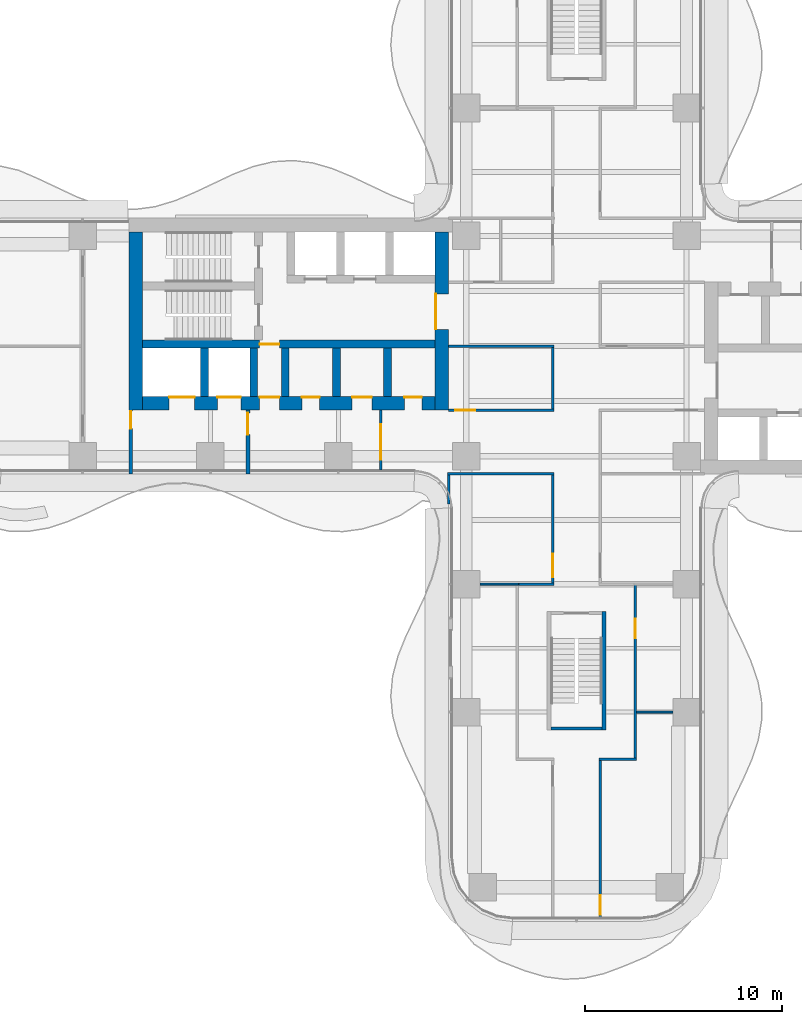
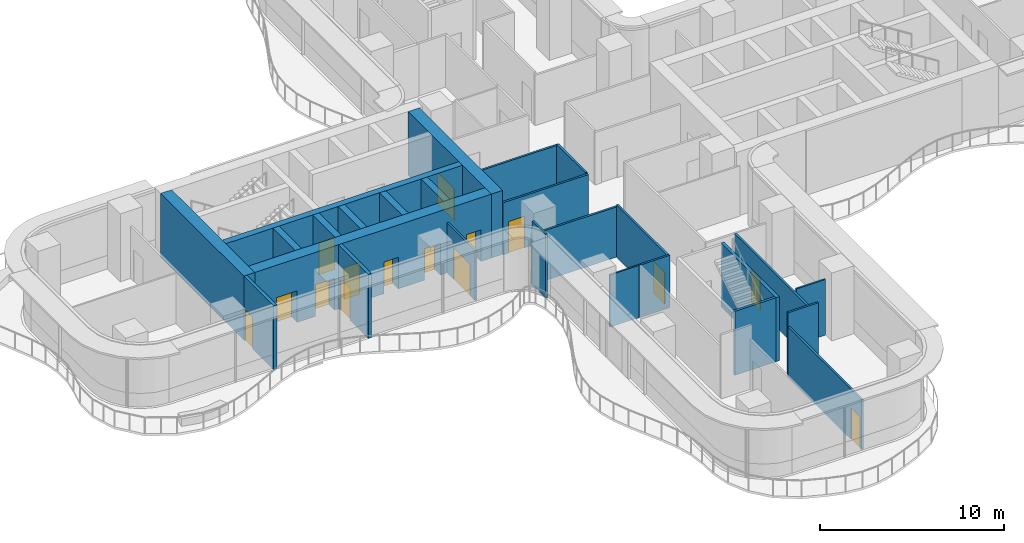
# One storey, part 17 of 22: 26 walls, 15 doors, 15 openings.
"""IFC4 building model written with IfcOpenShell, lengths in metres."""

from ifc_helpers import new_model, si_unit, direction, frame, frame_2d, origin, place, context, subcontext, project, spatial, rectangle, extrude, source, transform, mapped, material, layer, layer_set, type_object, element, fill, save


model = new_model("IFC4")

# Units and contexts
model_context = context("Model", 3, precision=1e-05, world=origin(), true_north=direction((0.0, 1.0)))
body_context = subcontext(model_context, "Body", "Model", "MODEL_VIEW")
ifc_project = project(units=[si_unit("LENGTHUNIT", "METRE"), si_unit("AREAUNIT", "SQUARE_METRE"), si_unit("VOLUMEUNIT", "CUBIC_METRE"), si_unit("PLANEANGLEUNIT", "RADIAN"), si_unit("MASSUNIT", "GRAM", prefix="KILO")], contexts=[model_context])

# Site, building, storey
site_placement = place(None, origin())
site = spatial("IfcSite", under=ifc_project, at=site_placement, CompositionType="ELEMENT")
building_placement = place(site_placement, origin())
building = spatial("IfcBuilding", under=site, at=building_placement, Name="Trellis Farm Tower", CompositionType="ELEMENT")
storey_placement = place(building_placement, frame((0.0, 0.0, 65.5)))
storey = spatial("IfcBuildingStorey", under=building, at=storey_placement, Name="L13", CompositionType="ELEMENT", Elevation=65.5)

# Wall, opening, door
ifc_material_1 = material(Name="Concrete C80/95", Category="concrete")
ifc_layer_1 = layer(ifc_material_1, 0.699951171875)
ifc_layer_set_1 = layer_set([ifc_layer_1], Name="CORE OUTER WALL 700 CONCRETE C80/95")
wall_type_1 = type_object("IfcWallType", Name="CORE OUTER WALL 700 CONCRETE C80/95", PredefinedType="SHEAR", material=ifc_layer_set_1)
shared_shape_1 = source(origin(), body_context, "Body", "SweptSolid", [
    extrude(rectangle(XDim=9.050048828125, YDim=0.699951171875, at=frame_2d((4.52490234375, 0.0))), origin(), (0.0, 0.0, 1.0), 4.25),
])
wall_1_placement = place(storey_placement, frame((-6.85009765625, 5.800048828125, 0.0), z_axis=(0.0, 0.0, 1.0), x_axis=(0.0, -1.0, 0.0)))
wall_1 = element("IfcWall", 1, at=wall_1_placement, inside=storey, type_object=wall_type_1, Name="Core wall", PredefinedType="SHEAR", context=body_context, shape_type="MappedRepresentation", body=[
    mapped(shared_shape_1, transform((0.0, 0.0, 0.0))),
])
shared_shape_2 = source(origin(), body_context, "Body", "SweptSolid", [
    extrude(rectangle(XDim=1.800048828125, YDim=2.10009765625, at=frame_2d((0.89990234375, 1.050048828125))), frame((0.0, 0.360107421875, 0.0), z_axis=(0.0, -1.0, 0.0), x_axis=(1.0, 0.0, 0.0)), (0.0, 0.0, 1.0), 0.72021484375),
])
opening_1_placement = place(wall_1_placement, frame((3.14990234375, 0.0, 0.0)))
opening_1 = element("IfcOpeningElement", 2, at=opening_1_placement, cuts=wall_1, Name="Opening DC87", PredefinedType="OPENING", context=body_context, shape_type="MappedRepresentation", body=[
    mapped(shared_shape_2, transform((0.0, 0.0, 0.0))),
])
ifc_material_2 = material(Name="Steel", Category="steel")
door_type_1 = type_object("IfcDoorType", Name="CORE FIRE DOOR DOUBLE 1800 X 2100", OperationType="DOUBLE_DOOR_SINGLE_SWING", PredefinedType="DOOR", material=ifc_material_2)
shared_shape_3 = source(origin(), body_context, "Body", "SweptSolid", [
    extrude(rectangle(XDim=1.800048828125, YDim=2.10009765625, at=frame_2d((0.89990234375, 1.050048828125))), frame((0.0, -0.27490234375, 0.0), z_axis=(0.0, -1.0, 0.0), x_axis=(1.0, 0.0, 0.0)), (0.0, 0.0, 1.0), 0.050048828125),
])
door_1_placement = place(opening_1_placement, origin())
door_1 = element("IfcDoor", 3, at=door_1_placement, inside=storey, type_object=door_type_1, Name="Core door", OperationType="DOUBLE_DOOR_SINGLE_SWING", OverallHeight=2.10009765625, OverallWidth=1.800048828125, PredefinedType="DOOR", context=body_context, shape_type="MappedRepresentation", body=[
    mapped(shared_shape_3, transform((0.0, 0.0, 0.0))),
])
fill(opening_1, door_1)

# Walls
wall_2_placement = place(storey_placement, frame((-22.39990234375, 5.800048828125, 0.0), z_axis=(0.0, 0.0, 1.0), x_axis=(0.0, -1.0, 0.0)))
element("IfcWall", 4, at=wall_2_placement, inside=storey, type_object=wall_type_1, Name="Core wall", PredefinedType="SHEAR", context=body_context, shape_type="MappedRepresentation", body=[
    mapped(shared_shape_1, transform((0.0, 0.0, 0.0))),
])
ifc_layer_2 = layer(ifc_material_1, 0.39990234375)
ifc_layer_set_2 = layer_set([ifc_layer_2], Name="CORE INNER WALL 400 CONCRETE C80/95")
wall_type_2 = type_object("IfcWallType", Name="CORE INNER WALL 400 CONCRETE C80/95", PredefinedType="SHEAR", material=ifc_layer_set_2)
shared_shape_4 = source(origin(), body_context, "Body", "SweptSolid", [
    extrude(rectangle(XDim=2.449951171875, YDim=0.39990234375, at=frame_2d((1.22509765625, 0.0))), origin(), (0.0, 0.0, 1.0), 4.25),
])
for number, where, z_axis, x_axis, name in (
    (5, (-9.60009765625, -0.10009765625, 0.0), (0.0, 0.0, 1.0), (0.0, -1.0, 0.0), "Core wall"),
    (6, (-12.199951171875, -0.10009765625, 0.0), (0.0, 0.0, 1.0), (0.0, -1.0, 0.0), "Core wall"),
    (7, (-14.800048828125, -0.10009765625, 0.0), (0.0, 0.0, 1.0), (0.0, -1.0, 0.0), "Core wall"),
    (8, (-16.39990234375, -0.10009765625, 0.0), (0.0, 0.0, 1.0), (0.0, -1.0, 0.0), "Core wall"),
    (9, (-18.89990234375, -0.10009765625, 0.0), (0.0, 0.0, 1.0), (0.0, -1.0, 0.0), "Core wall"),
):
    element("IfcWall", number, at=place(storey_placement, frame(where, z_axis=z_axis, x_axis=x_axis)), inside=storey, type_object=wall_type_2, Name=name, PredefinedType="SHEAR", context=body_context, shape_type="MappedRepresentation", body=[
        mapped(shared_shape_4, transform((0.0, 0.0, 0.0))),
    ])

# Wall, opening, door
ifc_material_3 = material(Name="Masonry blockwork", Category="masonry")
ifc_layer_3 = layer(ifc_material_3, 0.199951171875)
ifc_layer_set_3 = layer_set([ifc_layer_3], Name="FIRE LOBBY PARTITION 200 BLOCKWORK")
wall_type_3 = type_object("IfcWallType", Name="FIRE LOBBY PARTITION 200 BLOCKWORK", PredefinedType="PARTITIONING", material=ifc_layer_set_3)
shared_shape_5 = source(origin(), body_context, "Body", "SweptSolid", [
    extrude(rectangle(XDim=3.25, YDim=0.199951171875, at=frame_2d((1.625, 0.0))), origin(), (0.0, 0.0, 1.0), 4.25),
])
wall_3_placement = place(storey_placement, frame((-16.699951171875, -3.25, 0.0), z_axis=(0.0, 0.0, 1.0), x_axis=(0.0, -1.0, 0.0)))
wall_3 = element("IfcWall", 10, at=wall_3_placement, inside=storey, type_object=wall_type_3, Name="Fire-fighting lobby partition", PredefinedType="PARTITIONING", context=body_context, shape_type="MappedRepresentation", body=[
    mapped(shared_shape_5, transform((0.0, 0.0, 0.0))),
])
shared_shape_6 = source(origin(), body_context, "Body", "SweptSolid", [
    extrude(rectangle(XDim=1.10009765625, YDim=2.10009765625, at=frame_2d((0.550048828125, 1.050048828125))), frame((0.0, 0.110107421875, 0.0), z_axis=(0.0, -1.0, 0.0), x_axis=(1.0, 0.0, 0.0)), (0.0, 0.0, 1.0), 0.22021484375),
])
opening_2_placement = place(wall_3_placement, frame((0.14990234375, 0.0, 0.0)))
opening_2 = element("IfcOpeningElement", 11, at=opening_2_placement, cuts=wall_3, Name="Opening DC93", PredefinedType="OPENING", context=body_context, shape_type="MappedRepresentation", body=[
    mapped(shared_shape_6, transform((0.0, 0.0, 0.0))),
])
door_type_2 = type_object("IfcDoorType", Name="CORE FIRE DOOR 1100 X 2100", OperationType="NOTDEFINED", PredefinedType="DOOR", material=ifc_material_2)
shared_shape_7 = source(origin(), body_context, "Body", "SweptSolid", [
    extrude(rectangle(XDim=1.10009765625, YDim=2.10009765625, at=frame_2d((0.550048828125, 1.050048828125))), frame((0.0, 0.02490234375, 0.0), z_axis=(0.0, -1.0, 0.0), x_axis=(1.0, 0.0, 0.0)), (0.0, 0.0, 1.0), 0.050048828125),
])
door_2_placement = place(opening_2_placement, origin())
door_2 = element("IfcDoor", 12, at=door_2_placement, inside=storey, type_object=door_type_2, Name="Core door", OperationType="SINGLE_SWING_RIGHT", OverallHeight=2.10009765625, OverallWidth=1.10009765625, PredefinedType="DOOR", context=body_context, shape_type="MappedRepresentation", body=[
    mapped(shared_shape_7, transform((0.0, 0.0, 0.0))),
])
fill(opening_2, door_2)

wall_4_placement = place(storey_placement, frame((-22.64990234375, -3.25, 0.0), z_axis=(0.0, 0.0, 1.0), x_axis=(0.0, -1.0, 0.0)))
wall_4 = element("IfcWall", 13, at=wall_4_placement, inside=storey, type_object=wall_type_3, Name="Fire-fighting lobby partition", PredefinedType="PARTITIONING", context=body_context, shape_type="MappedRepresentation", body=[
    mapped(shared_shape_5, transform((0.0, 0.0, 0.0))),
])
shared_shape_8 = source(origin(), body_context, "Body", "SweptSolid", [
    extrude(rectangle(XDim=0.89990234375, YDim=2.10009765625, at=frame_2d((0.449951171875, 1.050048828125))), frame((0.0, 0.110107421875, 0.0), z_axis=(0.0, -1.0, 0.0), x_axis=(1.0, 0.0, 0.0)), (0.0, 0.0, 1.0), 0.22021484375),
])
opening_3_placement = place(wall_4_placement, frame((0.050048828125, 0.0, 0.0)))
opening_3 = element("IfcOpeningElement", 14, at=opening_3_placement, cuts=wall_4, Name="Opening DC94", PredefinedType="OPENING", context=body_context, shape_type="MappedRepresentation", body=[
    mapped(shared_shape_8, transform((0.0, 0.0, 0.0))),
])
door_type_3 = type_object("IfcDoorType", Name="CORE FIRE DOOR 900 X 2100", OperationType="NOTDEFINED", PredefinedType="DOOR", material=ifc_material_2)
shared_shape_9 = source(origin(), body_context, "Body", "SweptSolid", [
    extrude(rectangle(XDim=0.89990234375, YDim=2.10009765625, at=frame_2d((0.449951171875, 1.050048828125))), frame((0.0, 0.02490234375, 0.0), z_axis=(0.0, -1.0, 0.0), x_axis=(1.0, 0.0, 0.0)), (0.0, 0.0, 1.0), 0.050048828125),
])
door_3_placement = place(opening_3_placement, origin())
door_3 = element("IfcDoor", 15, at=door_3_placement, inside=storey, type_object=door_type_3, Name="Core door", OperationType="SINGLE_SWING_RIGHT", OverallHeight=2.10009765625, OverallWidth=0.89990234375, PredefinedType="DOOR", context=body_context, shape_type="MappedRepresentation", body=[
    mapped(shared_shape_9, transform((0.0, 0.0, 0.0))),
])
fill(opening_3, door_3)

# Wall, openings, doors
shared_shape_10 = source(origin(), body_context, "Body", "SweptSolid", [
    extrude(rectangle(XDim=14.85009765625, YDim=0.699951171875, at=frame_2d((7.425048828125, 0.0))), origin(), (0.0, 0.0, 1.0), 4.25),
])
wall_5_placement = place(storey_placement, frame((-7.199951171875, -2.89990234375, 0.0), z_axis=(0.0, 0.0, 1.0), x_axis=(-1.0, 0.0, 0.0)))
wall_5 = element("IfcWall", 16, at=wall_5_placement, inside=storey, type_object=wall_type_1, Name="Core wall", PredefinedType="SHEAR", context=body_context, shape_type="MappedRepresentation", body=[
    mapped(shared_shape_10, transform((0.0, 0.0, 0.0))),
])
shared_shape_11 = source(origin(), body_context, "Body", "SweptSolid", [
    extrude(rectangle(XDim=1.300048828125, YDim=2.10009765625, at=frame_2d((0.64990234375, 1.050048828125))), frame((0.0, 0.360107421875, 0.0), z_axis=(0.0, -1.0, 0.0), x_axis=(1.0, 0.0, 0.0)), (0.0, 0.0, 1.0), 0.72021484375),
])
opening_4_placement = place(wall_5_placement, frame((12.199951171875, 0.0, 0.0)))
opening_4 = element("IfcOpeningElement", 17, at=opening_4_placement, cuts=wall_5, Name="Opening LD15", PredefinedType="OPENING", context=body_context, shape_type="MappedRepresentation", body=[
    mapped(shared_shape_11, transform((0.0, 0.0, 0.0))),
])
shared_shape_12 = source(origin(), body_context, "Body", "SweptSolid", [
    extrude(rectangle(XDim=1.199951171875, YDim=2.10009765625, at=frame_2d((0.60009765625, 1.050048828125))), frame((0.0, 0.360107421875, 0.0), z_axis=(0.0, -1.0, 0.0), x_axis=(1.0, 0.0, 0.0)), (0.0, 0.0, 1.0), 0.72021484375),
])
opening_5_placement = place(wall_5_placement, frame((9.85009765625, 0.0, 0.0)))
opening_5 = element("IfcOpeningElement", 18, at=opening_5_placement, cuts=wall_5, Name="Opening LD16", PredefinedType="OPENING", context=body_context, shape_type="MappedRepresentation", body=[
    mapped(shared_shape_12, transform((0.0, 0.0, 0.0))),
])
shared_shape_13 = source(origin(), body_context, "Body", "SweptSolid", [
    extrude(rectangle(XDim=1.0, YDim=2.10009765625, at=frame_2d((0.5, 1.050048828125))), frame((0.0, 0.360107421875, 0.0), z_axis=(0.0, -1.0, 0.0), x_axis=(1.0, 0.0, 0.0)), (0.0, 0.0, 1.0), 0.72021484375),
])
opening_6_placement = place(wall_5_placement, frame((7.89990234375, 0.0, 0.0)))
opening_6 = element("IfcOpeningElement", 19, at=opening_6_placement, cuts=wall_5, Name="Opening DC92", PredefinedType="OPENING", context=body_context, shape_type="MappedRepresentation", body=[
    mapped(shared_shape_13, transform((0.0, 0.0, 0.0))),
])
shared_shape_14 = source(origin(), body_context, "Body", "SweptSolid", [
    extrude(rectangle(XDim=0.89990234375, YDim=2.10009765625, at=frame_2d((0.449951171875, 1.050048828125))), frame((0.0, 0.360107421875, 0.0), z_axis=(0.0, -1.0, 0.0), x_axis=(1.0, 0.0, 0.0)), (0.0, 0.0, 1.0), 0.72021484375),
])
opening_7_placement = place(wall_5_placement, frame((0.64990234375, 0.0, 0.0)))
opening_7 = element("IfcOpeningElement", 20, at=opening_7_placement, cuts=wall_5, Name="Opening DC97", PredefinedType="OPENING", context=body_context, shape_type="MappedRepresentation", body=[
    mapped(shared_shape_14, transform((0.0, 0.0, 0.0))),
])
opening_8_placement = place(wall_5_placement, frame((3.199951171875, 0.0, 0.0)))
opening_8 = element("IfcOpeningElement", 21, at=opening_8_placement, cuts=wall_5, Name="Opening DC112", PredefinedType="OPENING", context=body_context, shape_type="MappedRepresentation", body=[
    mapped(shared_shape_13, transform((0.0, 0.0, 0.0))),
])
opening_9_placement = place(wall_5_placement, frame((5.85009765625, 0.0, 0.0)))
opening_9 = element("IfcOpeningElement", 22, at=opening_9_placement, cuts=wall_5, Name="Opening DC121", PredefinedType="OPENING", context=body_context, shape_type="MappedRepresentation", body=[
    mapped(shared_shape_14, transform((0.0, 0.0, 0.0))),
])
door_type_4 = type_object("IfcDoorType", Name="CORE FIRE DOOR 1000 X 2100", OperationType="NOTDEFINED", PredefinedType="DOOR", material=ifc_material_2)
shared_shape_15 = source(origin(), body_context, "Body", "SweptSolid", [
    extrude(rectangle(XDim=1.0, YDim=2.10009765625, at=frame_2d((0.5, 1.050048828125))), frame((0.0, -0.27490234375, 0.0), z_axis=(0.0, -1.0, 0.0), x_axis=(1.0, 0.0, 0.0)), (0.0, 0.0, 1.0), 0.050048828125),
])
door_4_placement = place(opening_6_placement, origin())
door_4 = element("IfcDoor", 23, at=door_4_placement, inside=storey, type_object=door_type_4, Name="Core door", OperationType="SINGLE_SWING_LEFT", OverallHeight=2.10009765625, OverallWidth=1.0, PredefinedType="DOOR", context=body_context, shape_type="MappedRepresentation", body=[
    mapped(shared_shape_15, transform((0.0, 0.0, 0.0))),
])
fill(opening_6, door_4)
door_5_placement = place(opening_8_placement, origin())
door_5 = element("IfcDoor", 24, at=door_5_placement, inside=storey, type_object=door_type_4, Name="Core door", OperationType="SINGLE_SWING_RIGHT", OverallHeight=2.10009765625, OverallWidth=1.0, PredefinedType="DOOR", context=body_context, shape_type="MappedRepresentation", body=[
    mapped(shared_shape_15, transform((0.0, 0.0, 0.0))),
])
fill(opening_8, door_5)
shared_shape_16 = source(origin(), body_context, "Body", "SweptSolid", [
    extrude(rectangle(XDim=0.89990234375, YDim=2.10009765625, at=frame_2d((0.449951171875, 1.050048828125))), frame((0.0, -0.27490234375, 0.0), z_axis=(0.0, -1.0, 0.0), x_axis=(1.0, 0.0, 0.0)), (0.0, 0.0, 1.0), 0.050048828125),
])
door_6_placement = place(opening_7_placement, origin())
door_6 = element("IfcDoor", 25, at=door_6_placement, inside=storey, type_object=door_type_3, Name="Core door", OperationType="SINGLE_SWING_LEFT", OverallHeight=2.10009765625, OverallWidth=0.89990234375, PredefinedType="DOOR", context=body_context, shape_type="MappedRepresentation", body=[
    mapped(shared_shape_16, transform((0.0, 0.0, 0.0))),
])
fill(opening_7, door_6)
door_7_placement = place(opening_9_placement, origin())
door_7 = element("IfcDoor", 26, at=door_7_placement, inside=storey, type_object=door_type_3, Name="Core door", OperationType="SINGLE_SWING_LEFT", OverallHeight=2.10009765625, OverallWidth=0.89990234375, PredefinedType="DOOR", context=body_context, shape_type="MappedRepresentation", body=[
    mapped(shared_shape_16, transform((0.0, 0.0, 0.0))),
])
fill(opening_9, door_7)
ifc_material_4 = material(Name="Stainless steel", Category="steel")
door_type_5 = type_object("IfcDoorType", Name="LIFT LANDING DOOR 1300 X 2100", OperationType="DOUBLE_DOOR_SLIDING", PredefinedType="DOOR", material=ifc_material_4)
shared_shape_17 = source(origin(), body_context, "Body", "SweptSolid", [
    extrude(rectangle(XDim=1.300048828125, YDim=2.10009765625, at=frame_2d((0.64990234375, 1.050048828125))), frame((0.0, -0.27490234375, 0.0), z_axis=(0.0, -1.0, 0.0), x_axis=(1.0, 0.0, 0.0)), (0.0, 0.0, 1.0), 0.050048828125),
])
door_8_placement = place(opening_4_placement, origin())
door_8 = element("IfcDoor", 27, at=door_8_placement, inside=storey, type_object=door_type_5, Name="Lift landing door", OperationType="DOUBLE_DOOR_SLIDING", OverallHeight=2.10009765625, OverallWidth=1.300048828125, PredefinedType="DOOR", context=body_context, shape_type="MappedRepresentation", body=[
    mapped(shared_shape_17, transform((0.0, 0.0, 0.0))),
])
fill(opening_4, door_8)
door_type_6 = type_object("IfcDoorType", Name="LIFT LANDING DOOR 1200 X 2100", OperationType="DOUBLE_DOOR_SLIDING", PredefinedType="DOOR", material=ifc_material_4)
shared_shape_18 = source(origin(), body_context, "Body", "SweptSolid", [
    extrude(rectangle(XDim=1.199951171875, YDim=2.10009765625, at=frame_2d((0.60009765625, 1.050048828125))), frame((0.0, -0.27490234375, 0.0), z_axis=(0.0, -1.0, 0.0), x_axis=(1.0, 0.0, 0.0)), (0.0, 0.0, 1.0), 0.050048828125),
])
door_9_placement = place(opening_5_placement, origin())
door_9 = element("IfcDoor", 28, at=door_9_placement, inside=storey, type_object=door_type_6, Name="Lift landing door", OperationType="DOUBLE_DOOR_SLIDING", OverallHeight=2.10009765625, OverallWidth=1.199951171875, PredefinedType="DOOR", context=body_context, shape_type="MappedRepresentation", body=[
    mapped(shared_shape_18, transform((0.0, 0.0, 0.0))),
])
fill(opening_5, door_9)

# Wall, opening, door
shared_shape_19 = source(origin(), body_context, "Body", "SweptSolid", [
    extrude(rectangle(XDim=14.85009765625, YDim=0.39990234375, at=frame_2d((7.425048828125, 0.0))), origin(), (0.0, 0.0, 1.0), 4.25),
])
wall_6_placement = place(storey_placement, frame((-7.199951171875, 0.10009765625, 0.0), z_axis=(0.0, 0.0, 1.0), x_axis=(-1.0, 0.0, 0.0)))
wall_6 = element("IfcWall", 29, at=wall_6_placement, inside=storey, type_object=wall_type_2, Name="Core wall", PredefinedType="SHEAR", context=body_context, shape_type="MappedRepresentation", body=[
    mapped(shared_shape_19, transform((0.0, 0.0, 0.0))),
])
shared_shape_20 = source(origin(), body_context, "Body", "SweptSolid", [
    extrude(rectangle(XDim=1.0, YDim=2.10009765625, at=frame_2d((0.5, 1.050048828125))), frame((0.0, 0.2099609375, 0.0), z_axis=(0.0, -1.0, 0.0), x_axis=(1.0, 0.0, 0.0)), (0.0, 0.0, 1.0), 0.419921875),
])
opening_10_placement = place(wall_6_placement, frame((7.89990234375, 0.0, 0.0)))
opening_10 = element("IfcOpeningElement", 30, at=opening_10_placement, cuts=wall_6, Name="Opening DC91", PredefinedType="OPENING", context=body_context, shape_type="MappedRepresentation", body=[
    mapped(shared_shape_20, transform((0.0, 0.0, 0.0))),
])
shared_shape_21 = source(origin(), body_context, "Body", "SweptSolid", [
    extrude(rectangle(XDim=1.0, YDim=2.10009765625, at=frame_2d((0.5, 1.050048828125))), frame((0.0, 0.02490234375, 0.0), z_axis=(0.0, -1.0, 0.0), x_axis=(1.0, 0.0, 0.0)), (0.0, 0.0, 1.0), 0.050048828125),
])
door_10_placement = place(opening_10_placement, origin())
door_10 = element("IfcDoor", 31, at=door_10_placement, inside=storey, type_object=door_type_4, Name="Core door", OperationType="SINGLE_SWING_RIGHT", OverallHeight=2.10009765625, OverallWidth=1.0, PredefinedType="DOOR", context=body_context, shape_type="MappedRepresentation", body=[
    mapped(shared_shape_21, transform((0.0, 0.0, 0.0))),
])
fill(opening_10, door_10)

# Walls
ifc_layer_4 = layer(ifc_material_1, 0.199951171875)
ifc_layer_set_4 = layer_set([ifc_layer_4], Name="CORE STAIR ENCLOSURE WALL 200 CONCRETE C80/95")
wall_type_4 = type_object("IfcWallType", Name="CORE STAIR ENCLOSURE WALL 200 CONCRETE C80/95", PredefinedType="SHEAR", material=ifc_layer_set_4)
shared_shape_22 = source(origin(), body_context, "Body", "SweptSolid", [
    extrude(rectangle(XDim=6.0, YDim=0.199951171875, at=frame_2d((3.0, 0.0))), origin(), (0.0, 0.0, 1.0), 4.25),
])
wall_7_placement = place(storey_placement, frame((1.39990234375, -13.5, 0.0), z_axis=(0.0, 0.0, 1.0), x_axis=(0.0, -1.0, 0.0)))
element("IfcWall", 32, at=wall_7_placement, inside=storey, type_object=wall_type_4, Name="Stair enclosure wall", PredefinedType="SHEAR", context=body_context, shape_type="MappedRepresentation", body=[
    mapped(shared_shape_22, transform((0.0, 0.0, 0.0))),
])
ifc_layer_5 = layer(ifc_material_1, 0.14990234375)
ifc_layer_set_5 = layer_set([ifc_layer_5], Name="CORE STAIR ENCLOSURE WALL 150 CONCRETE C80/95")
wall_type_5 = type_object("IfcWallType", Name="CORE STAIR ENCLOSURE WALL 150 CONCRETE C80/95", PredefinedType="SHEAR", material=ifc_layer_set_5)
shared_shape_23 = source(origin(), body_context, "Body", "SweptSolid", [
    extrude(rectangle(XDim=2.60009765625, YDim=0.14990234375, at=frame_2d((1.300048828125, 0.0))), origin(), (0.0, 0.0, 1.0), 4.25),
])
wall_8_placement = place(storey_placement, frame((1.300048828125, -19.425048828125, 0.0), z_axis=(0.0, 0.0, 1.0), x_axis=(-1.0, 0.0, 0.0)))
element("IfcWall", 33, at=wall_8_placement, inside=storey, type_object=wall_type_5, Name="Stair enclosure wall", PredefinedType="SHEAR", context=body_context, shape_type="MappedRepresentation", body=[
    mapped(shared_shape_23, transform((0.0, 0.0, 0.0))),
])
ifc_material_5 = material(Name="Plasterboard on steel studs, mineral wool", Category="steel")
ifc_layer_6 = layer(ifc_material_5, 0.125)
ifc_layer_set_6 = layer_set([ifc_layer_6], Name="PARTITION 125 STUD EI 60")
wall_type_6 = type_object("IfcWallType", Name="PARTITION 125 STUD EI 60", PredefinedType="PARTITIONING", material=ifc_layer_set_6)
shared_shape_24 = source(origin(), body_context, "Body", "SweptSolid", [
    extrude(rectangle(XDim=3.125, YDim=0.125, at=frame_2d((1.5625, 0.0))), origin(), (0.0, 0.0, 1.0), 3.54638671875),
])
wall_9_placement = place(storey_placement, frame((-1.199951171875, -0.0625, 0.0), z_axis=(0.0, 0.0, 1.0), x_axis=(0.0, -1.0, 0.0)))
element("IfcWall", 34, at=wall_9_placement, inside=storey, type_object=wall_type_6, Name="Partition PW1", PredefinedType="PARTITIONING", context=body_context, shape_type="MappedRepresentation", body=[
    mapped(shared_shape_24, transform((0.0, 0.0, 0.0))),
])

# Wall, opening, door
shared_shape_25 = source(origin(), body_context, "Body", "SweptSolid", [
    extrude(rectangle(XDim=5.47509765625, YDim=0.125, at=frame_2d((2.737548828125, 0.0))), origin(), (0.0, 0.0, 1.0), 3.4677734375),
])
wall_10_placement = place(storey_placement, frame((-1.199951171875, -6.5625, 0.0), z_axis=(0.0, 0.0, 1.0), x_axis=(0.0, -1.0, 0.0)))
wall_10 = element("IfcWall", 35, at=wall_10_placement, inside=storey, type_object=wall_type_6, Name="Partition PW1", PredefinedType="PARTITIONING", context=body_context, shape_type="MappedRepresentation", body=[
    mapped(shared_shape_25, transform((0.0, 0.0, 0.0))),
])
shared_shape_26 = source(origin(), body_context, "Body", "SweptSolid", [
    extrude(rectangle(XDim=1.199951171875, YDim=2.10009765625, at=frame_2d((0.60009765625, 1.050048828125))), frame((0.0, 0.072509765625, 0.0), z_axis=(0.0, -1.0, 0.0), x_axis=(1.0, 0.0, 0.0)), (0.0, 0.0, 1.0), 0.14501953125),
])
opening_11_placement = place(wall_10_placement, frame((3.987548828125, 0.0, 0.0)))
opening_11 = element("IfcOpeningElement", 36, at=opening_11_placement, cuts=wall_10, Name="Opening D601", PredefinedType="OPENING", context=body_context, shape_type="MappedRepresentation", body=[
    mapped(shared_shape_26, transform((0.0, 0.0, 0.0))),
])
ifc_material_6 = material(Name="Fire-rated timber door leaf in a hollow metal frame", Category="wood")
door_type_7 = type_object("IfcDoorType", Name="DOOR 1200x2100 FD30S", OperationType="NOTDEFINED", PredefinedType="DOOR", material=ifc_material_6)
shared_shape_27 = source(origin(), body_context, "Body", "SweptSolid", [
    extrude(rectangle(XDim=1.199951171875, YDim=2.10009765625, at=frame_2d((0.60009765625, 1.050048828125))), frame((0.0, 0.02490234375, 0.0), z_axis=(0.0, -1.0, 0.0), x_axis=(1.0, 0.0, 0.0)), (0.0, 0.0, 1.0), 0.050048828125),
])
door_11_placement = place(opening_11_placement, origin())
door_11 = element("IfcDoor", 37, at=door_11_placement, inside=storey, type_object=door_type_7, Name="Door D601", OperationType="SINGLE_SWING_RIGHT", OverallHeight=2.10009765625, OverallWidth=1.199951171875, PredefinedType="DOOR", context=body_context, shape_type="MappedRepresentation", body=[
    mapped(shared_shape_27, transform((0.0, 0.0, 0.0))),
])
fill(opening_11, door_11)

# Walls
shared_shape_28 = source(origin(), body_context, "Body", "SweptSolid", [
    extrude(rectangle(XDim=1.468994140625, YDim=0.125, at=frame_2d((0.734375, 0.0))), origin(), (0.0, 0.0, 1.0), 4.25),
])
wall_11_placement = place(storey_placement, frame((-6.5, -6.5625, 0.0), z_axis=(0.0, 0.0, 1.0), x_axis=(0.0, -1.0, 0.0)))
element("IfcWall", 38, at=wall_11_placement, inside=storey, type_object=wall_type_6, Name="Partition PW1", PredefinedType="PARTITIONING", context=body_context, shape_type="MappedRepresentation", body=[
    mapped(shared_shape_28, transform((0.0, 0.0, 0.0))),
])
shared_shape_29 = source(origin(), body_context, "Body", "SweptSolid", [
    extrude(rectangle(XDim=1.925048828125, YDim=0.125, at=frame_2d((0.96240234375, 0.0))), origin(), (0.0, 0.0, 1.0), 3.4677734375),
])
wall_12_placement = place(storey_placement, frame((-3.0625, -12.10009765625, 0.0), z_axis=(0.0, 0.0, 1.0), x_axis=(1.0, 0.0, 0.0)))
element("IfcWall", 39, at=wall_12_placement, inside=storey, type_object=wall_type_6, Name="Partition PW1", PredefinedType="PARTITIONING", context=body_context, shape_type="MappedRepresentation", body=[
    mapped(shared_shape_29, transform((0.0, 0.0, 0.0))),
])

# Wall, opening, door
shared_shape_30 = source(origin(), body_context, "Body", "SweptSolid", [
    extrude(rectangle(XDim=5.362548828125, YDim=0.125, at=frame_2d((2.68115234375, 0.0))), origin(), (0.0, 0.0, 1.0), 3.4677734375),
])
wall_13_placement = place(storey_placement, frame((-1.137451171875, -3.25, 0.0), z_axis=(0.0, 0.0, 1.0), x_axis=(-1.0, 0.0, 0.0)))
wall_13 = element("IfcWall", 40, at=wall_13_placement, inside=storey, type_object=wall_type_6, Name="Partition PW1", PredefinedType="PARTITIONING", context=body_context, shape_type="MappedRepresentation", body=[
    mapped(shared_shape_30, transform((0.0, 0.0, 0.0))),
])
shared_shape_31 = source(origin(), body_context, "Body", "SweptSolid", [
    extrude(rectangle(XDim=1.0, YDim=2.10009765625, at=frame_2d((0.5, 1.050048828125))), frame((0.0, 0.072509765625, 0.0), z_axis=(0.0, -1.0, 0.0), x_axis=(1.0, 0.0, 0.0)), (0.0, 0.0, 1.0), 0.14501953125),
])
opening_12_placement = place(wall_13_placement, frame((4.012451171875, 0.0, 0.0)))
opening_12 = element("IfcOpeningElement", 41, at=opening_12_placement, cuts=wall_13, Name="Opening D105", PredefinedType="OPENING", context=body_context, shape_type="MappedRepresentation", body=[
    mapped(shared_shape_31, transform((0.0, 0.0, 0.0))),
])
door_type_8 = type_object("IfcDoorType", Name="DOOR 1000x2100 FD30S", OperationType="NOTDEFINED", PredefinedType="DOOR", material=ifc_material_6)
door_12_placement = place(opening_12_placement, origin())
door_12 = element("IfcDoor", 42, at=door_12_placement, inside=storey, type_object=door_type_8, Name="Door D105", OperationType="SINGLE_SWING_RIGHT", OverallHeight=2.10009765625, OverallWidth=1.0, PredefinedType="DOOR", context=body_context, shape_type="MappedRepresentation", body=[
    mapped(shared_shape_21, transform((0.0, 0.0, 0.0))),
])
fill(opening_12, door_12)

# Walls
wall_14_placement = place(storey_placement, frame((-1.137451171875, 0.0, 0.0), z_axis=(0.0, 0.0, 1.0), x_axis=(-1.0, 0.0, 0.0)))
element("IfcWall", 43, at=wall_14_placement, inside=storey, type_object=wall_type_6, Name="Partition PW1", PredefinedType="PARTITIONING", context=body_context, shape_type="MappedRepresentation", body=[
    mapped(shared_shape_30, transform((0.0, 0.0, 0.0))),
])
shared_shape_32 = source(origin(), body_context, "Body", "SweptSolid", [
    extrude(rectangle(XDim=5.425048828125, YDim=0.125, at=frame_2d((2.71240234375, 0.0))), origin(), (0.0, 0.0, 1.0), 3.330078125),
])
wall_15_placement = place(storey_placement, frame((-1.137451171875, -6.5, 0.0), z_axis=(0.0, 0.0, 1.0), x_axis=(-1.0, 0.0, 0.0)))
element("IfcWall", 44, at=wall_15_placement, inside=storey, type_object=wall_type_6, Name="Partition PW1", PredefinedType="PARTITIONING", context=body_context, shape_type="MappedRepresentation", body=[
    mapped(shared_shape_32, transform((0.0, 0.0, 0.0))),
])
ifc_material_7 = material(Name="Plasterboard on steel studs", Category="steel")
ifc_layer_7 = layer(ifc_material_7, 0.10009765625)
ifc_layer_set_7 = layer_set([ifc_layer_7], Name="PARTITION 100 STUD EI 30")
wall_type_7 = type_object("IfcWallType", Name="PARTITION 100 STUD EI 30", PredefinedType="PARTITIONING", material=ifc_layer_set_7)
shared_shape_33 = source(origin(), body_context, "Body", "SweptSolid", [
    extrude(rectangle(XDim=1.96240234375, YDim=0.10009765625, at=frame_2d((0.981201171875, 0.0))), origin(), (0.0, 0.0, 1.0), 3.4677734375),
])
wall_16_placement = place(storey_placement, frame((-4.89990234375, -12.10009765625, 0.0), z_axis=(0.0, 0.0, 1.0), x_axis=(1.0, 0.0, 0.0)))
element("IfcWall", 45, at=wall_16_placement, inside=storey, type_object=wall_type_7, Name="Partition PW2", PredefinedType="PARTITIONING", context=body_context, shape_type="MappedRepresentation", body=[
    mapped(shared_shape_33, transform((0.0, 0.0, 0.0))),
])

# Wall, opening, door
shared_shape_34 = source(origin(), body_context, "Body", "SweptSolid", [
    extrude(rectangle(XDim=7.987548828125, YDim=0.125, at=frame_2d((3.99365234375, 0.0))), origin(), (0.0, 0.0, 1.0), 3.330078125),
])
wall_17_placement = place(storey_placement, frame((1.199951171875, -21.0625, 0.0), z_axis=(0.0, 0.0, 1.0), x_axis=(0.0, -1.0, 0.0)))
wall_17 = element("IfcWall", 46, at=wall_17_placement, inside=storey, type_object=wall_type_6, Name="Partition PW1", PredefinedType="PARTITIONING", context=body_context, shape_type="MappedRepresentation", body=[
    mapped(shared_shape_34, transform((0.0, 0.0, 0.0))),
])
opening_13_placement = place(wall_17_placement, frame((6.83740234375, 0.0, 0.0)))
opening_13 = element("IfcOpeningElement", 47, at=opening_13_placement, cuts=wall_17, Name="Opening D101", PredefinedType="OPENING", context=body_context, shape_type="MappedRepresentation", body=[
    mapped(shared_shape_31, transform((0.0, 0.0, 0.0))),
])
door_13_placement = place(opening_13_placement, origin())
door_13 = element("IfcDoor", 48, at=door_13_placement, inside=storey, type_object=door_type_8, Name="Door D101", OperationType="SINGLE_SWING_RIGHT", OverallHeight=2.10009765625, OverallWidth=1.0, PredefinedType="DOOR", context=body_context, shape_type="MappedRepresentation", body=[
    mapped(shared_shape_21, transform((0.0, 0.0, 0.0))),
])
fill(opening_13, door_13)

# Wall
shared_shape_35 = source(origin(), body_context, "Body", "SweptSolid", [
    extrude(rectangle(XDim=1.925048828125, YDim=0.125, at=frame_2d((0.96240234375, 0.0))), origin(), (0.0, 0.0, 1.0), 4.25),
])
wall_18_placement = place(storey_placement, frame((3.0625, -21.0, 0.0), z_axis=(0.0, 0.0, 1.0), x_axis=(-1.0, 0.0, 0.0)))
element("IfcWall", 49, at=wall_18_placement, inside=storey, type_object=wall_type_6, Name="Partition PW1", PredefinedType="PARTITIONING", context=body_context, shape_type="MappedRepresentation", body=[
    mapped(shared_shape_35, transform((0.0, 0.0, 0.0))),
])

# Wall, opening, door
shared_shape_36 = source(origin(), body_context, "Body", "SweptSolid", [
    extrude(rectangle(XDim=8.78759765625, YDim=0.125, at=frame_2d((4.393798828125, 0.0))), origin(), (0.0, 0.0, 1.0), 3.4677734375),
])
wall_19_placement = place(storey_placement, frame((3.0, -12.14990234375, 0.0), z_axis=(0.0, 0.0, 1.0), x_axis=(0.0, -1.0, 0.0)))
wall_19 = element("IfcWall", 50, at=wall_19_placement, inside=storey, type_object=wall_type_6, Name="Partition PW1", PredefinedType="PARTITIONING", context=body_context, shape_type="MappedRepresentation", body=[
    mapped(shared_shape_36, transform((0.0, 0.0, 0.0))),
])
opening_14_placement = place(wall_19_placement, frame((1.699951171875, 0.0, 0.0)))
opening_14 = element("IfcOpeningElement", 51, at=opening_14_placement, cuts=wall_19, Name="Opening D103", PredefinedType="OPENING", context=body_context, shape_type="MappedRepresentation", body=[
    mapped(shared_shape_31, transform((0.0, 0.0, 0.0))),
])
door_14_placement = place(opening_14_placement, origin())
door_14 = element("IfcDoor", 52, at=door_14_placement, inside=storey, type_object=door_type_8, Name="Door D103", OperationType="SINGLE_SWING_LEFT", OverallHeight=2.10009765625, OverallWidth=1.0, PredefinedType="DOOR", context=body_context, shape_type="MappedRepresentation", body=[
    mapped(shared_shape_21, transform((0.0, 0.0, 0.0))),
])
fill(opening_14, door_14)

shared_shape_37 = source(origin(), body_context, "Body", "SweptSolid", [
    extrude(rectangle(XDim=3.050048828125, YDim=0.125, at=frame_2d((1.52490234375, 0.0))), origin(), (0.0, 0.0, 1.0), 3.330078125),
])
wall_20_placement = place(storey_placement, frame((-9.93408203125, -6.300048828125, 0.0), z_axis=(0.0, 0.0, 1.0), x_axis=(0.0, 1.0, 0.0)))
wall_20 = element("IfcWall", 53, at=wall_20_placement, inside=storey, type_object=wall_type_6, Name="Partition PW1", PredefinedType="PARTITIONING", context=body_context, shape_type="MappedRepresentation", body=[
    mapped(shared_shape_37, transform((0.0, 0.0, 0.0))),
])
shared_shape_38 = source(origin(), body_context, "Body", "SweptSolid", [
    extrude(rectangle(XDim=1.800048828125, YDim=2.10009765625, at=frame_2d((0.89990234375, 1.050048828125))), frame((0.0, 0.072509765625, 0.0), z_axis=(0.0, -1.0, 0.0), x_axis=(1.0, 0.0, 0.0)), (0.0, 0.0, 1.0), 0.14501953125),
])
opening_15_placement = place(wall_20_placement, frame((0.52490234375, 0.0, 0.0)))
opening_15 = element("IfcOpeningElement", 54, at=opening_15_placement, cuts=wall_20, Name="Opening D401", PredefinedType="OPENING", context=body_context, shape_type="MappedRepresentation", body=[
    mapped(shared_shape_38, transform((0.0, 0.0, 0.0))),
])
door_type_9 = type_object("IfcDoorType", Name="DOOR PAIR 1800x2100 FD60", OperationType="NOTDEFINED", PredefinedType="DOOR", material=ifc_material_6)
shared_shape_39 = source(origin(), body_context, "Body", "SweptSolid", [
    extrude(rectangle(XDim=1.800048828125, YDim=2.10009765625, at=frame_2d((0.89990234375, 1.050048828125))), frame((0.0, 0.02490234375, 0.0), z_axis=(0.0, -1.0, 0.0), x_axis=(1.0, 0.0, 0.0)), (0.0, 0.0, 1.0), 0.050048828125),
])
door_15_placement = place(opening_15_placement, origin())
door_15 = element("IfcDoor", 55, at=door_15_placement, inside=storey, type_object=door_type_9, Name="Door D401", OperationType="DOUBLE_DOOR_SINGLE_SWING", OverallHeight=2.10009765625, OverallWidth=1.800048828125, PredefinedType="DOOR", context=body_context, shape_type="MappedRepresentation", body=[
    mapped(shared_shape_39, transform((0.0, 0.0, 0.0))),
])
fill(opening_15, door_15)

# Wall
shared_shape_40 = source(origin(), body_context, "Body", "SweptSolid", [
    extrude(rectangle(XDim=1.83740234375, YDim=0.10009765625, at=frame_2d((0.918701171875, 0.0))), origin(), (0.0, 0.0, 1.0), 3.697021484375),
])
wall_21_placement = place(storey_placement, frame((3.0625, -18.60009765625, 0.0), z_axis=(0.0, 0.0, 1.0), x_axis=(1.0, 0.0, 0.0)))
element("IfcWall", 56, at=wall_21_placement, inside=storey, type_object=wall_type_7, Name="Partition PW2", PredefinedType="PARTITIONING", context=body_context, shape_type="MappedRepresentation", body=[
    mapped(shared_shape_40, transform((0.0, 0.0, 0.0))),
])

save(model, "model.ifc")
